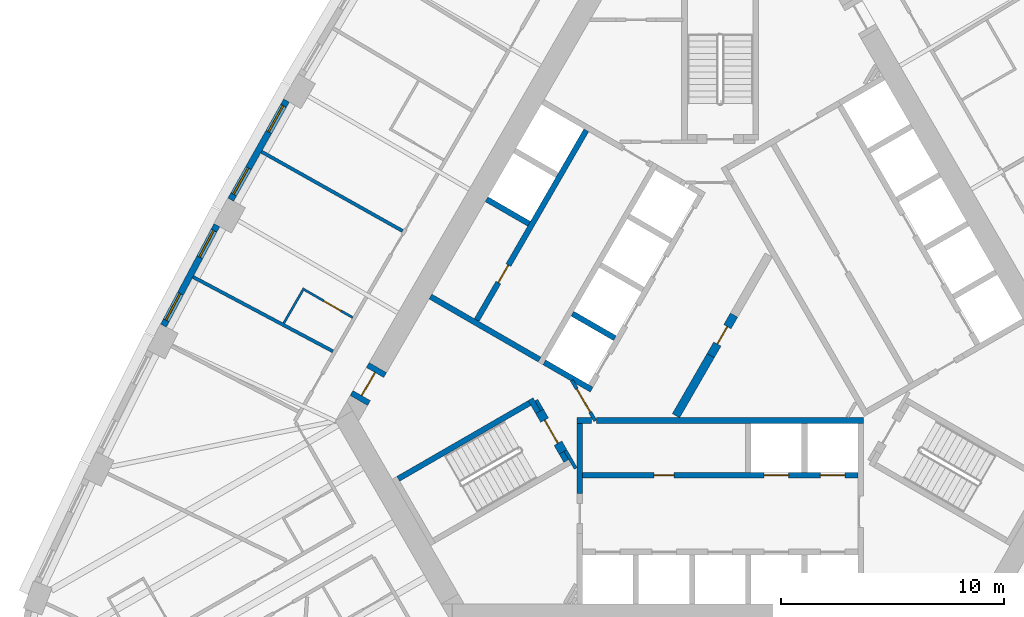
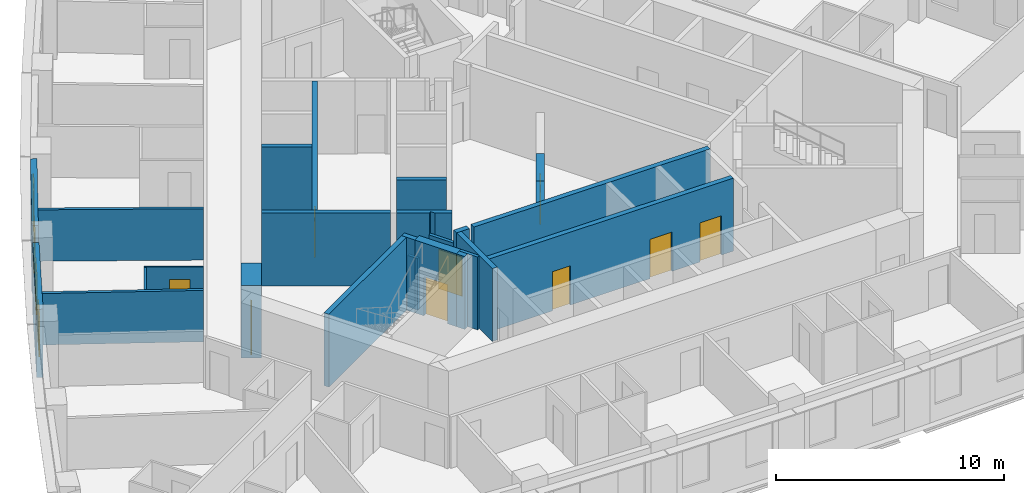
# One storey, part 5 of 12: 25 walls, 9 doors, 4 windows, 13 openings.
"""IFC4 building model written with IfcOpenShell, lengths in metres."""

from ifc_helpers import new_model, si_unit, direction, frame, frame_2d, origin, place, context, subcontext, project, spatial, polyline, rectangle, outline, extrude, material, layer, layer_set, type_object, element, fill, save


model = new_model("IFC4")

# Units and contexts
model_context = context("Model", 3, precision=1e-05, world=origin(), true_north=direction((0.0, 1.0)))
body_context = subcontext(model_context, "Body", "Model", "MODEL_VIEW")
ifc_project = project(units=[si_unit("LENGTHUNIT", "METRE"), si_unit("AREAUNIT", "SQUARE_METRE"), si_unit("VOLUMEUNIT", "CUBIC_METRE"), si_unit("PLANEANGLEUNIT", "RADIAN"), si_unit("MASSUNIT", "GRAM", prefix="KILO")], contexts=[model_context])

# Site, building, storey
site_placement = place(None, origin())
site = spatial("IfcSite", under=ifc_project, at=site_placement, CompositionType="ELEMENT")
building_placement = place(site_placement, origin())
building = spatial("IfcBuilding", under=site, at=building_placement, Name="Mestral Congress Tower", CompositionType="ELEMENT")
storey_placement = place(building_placement, frame((0.0, 0.0, 103.199951171875)))
storey = spatial("IfcBuildingStorey", under=building, at=storey_placement, Name="L24", CompositionType="ELEMENT", Elevation=103.199951171875)

# Walls
ifc_material_1 = material(Name="Fire-rated board partition")
ifc_layer_1 = layer(ifc_material_1, 0.14990234375)
ifc_layer_set_1 = layer_set([ifc_layer_1], Name="Fire-rated board partition")
wall_type_1 = type_object("IfcWallType", Name="Core partition 150", PredefinedType="PARTITIONING", material=ifc_layer_set_1)
wall_1_placement = place(storey_placement, frame((-8.251953125, -2.958251953125, 0.0), z_axis=(0.0, 0.0, 1.0), x_axis=(0.500174715838, -0.865924508047, 0.0)))
element("IfcWall", 1, at=wall_1_placement, inside=storey, type_object=wall_type_1, Name="L24 core wall", PredefinedType="PARTITIONING", context=body_context, shape_type="SweptSolid", body=[
    extrude(rectangle(XDim=0.513916015625, YDim=0.14990234375, at=frame_2d((0.2568359375, 0.0))), origin(), (0.0, 0.0, 1.0), 2.75),
])
placement = place(storey_placement, origin())
element("IfcWall", 2, at=placement, inside=storey, type_object=wall_type_1, Name="L24 core wall", PredefinedType="PARTITIONING", context=body_context, shape_type="SweptSolid", body=[
    extrude(outline(polyline([(-0.590087890625, -0.871826171875), (-0.26513671875, -1.059326171875), (-1.822021484375, -3.755615234375), (-2.146728515625, -3.568115234375), (-0.590087890625, -0.871826171875)])), origin(), (0.0, 0.0, 1.0), 2.75),
])

# Wall, opening, door
wall_3_placement = place(storey_placement, frame((-5.606201171875, -3.8896484375, 0.0), z_axis=(0.0, 0.0, 1.0), x_axis=(-0.500027713859, 0.866009402589, 0.0)))
wall_3 = element("IfcWall", 3, at=wall_3_placement, inside=storey, type_object=wall_type_1, Name="L24 door wall", PredefinedType="PARTITIONING", context=body_context, shape_type="SweptSolid", body=[
    extrude(rectangle(XDim=2.10009765625, YDim=0.14990234375, at=frame_2d((1.050048828125, 0.0))), origin(), (0.0, 0.0, 1.0), 2.75),
])
opening_1_placement = place(wall_3_placement, frame((0.449951171875, 0.0, 0.0)))
opening_1 = element("IfcOpeningElement", 4, at=opening_1_placement, cuts=wall_3, Name="Opening CD3-FF", PredefinedType="OPENING", context=body_context, shape_type="SweptSolid", body=[
    extrude(rectangle(XDim=1.199951171875, YDim=2.10009765625, at=frame_2d((0.60009765625, 1.050048828125))), frame((0.0, 0.0849609375, 0.0), z_axis=(0.0, -1.0, 0.0), x_axis=(1.0, 0.0, 0.0)), (0.0, 0.0, 1.0), 0.169921875),
])
ifc_material_2 = material(Name="Fire-rated steel door set", Category="steel")
door_type_1 = type_object("IfcDoorType", Name="Core door CD 1200x2100", OperationType="SINGLE_SWING_LEFT", PredefinedType="DOOR", material=ifc_material_2)
door_1_placement = place(opening_1_placement, origin())
door_1 = element("IfcDoor", 5, at=door_1_placement, inside=storey, type_object=door_type_1, Name="Door CD3-FF", OperationType="SINGLE_SWING_LEFT", OverallHeight=2.10009765625, OverallWidth=1.199951171875, PredefinedType="DOOR", context=body_context, shape_type="SweptSolid", body=[
    extrude(rectangle(XDim=1.199951171875, YDim=2.10009765625, at=frame_2d((0.60009765625, 1.050048828125))), frame((0.0, 0.02490234375, 0.0), z_axis=(0.0, -1.0, 0.0), x_axis=(1.0, 0.0, 0.0)), (0.0, 0.0, 1.0), 0.050048828125),
])
fill(opening_1, door_1)

ifc_layer_2 = layer(ifc_material_1, 0.375)
ifc_layer_set_2 = layer_set([ifc_layer_2], Name="Fire-rated board partition")
wall_type_2 = type_object("IfcWallType", Name="Core partition 150 door-wall 375", PredefinedType="PARTITIONING", material=ifc_layer_set_2)
wall_4_placement = place(storey_placement, frame((-0.427490234375, -0.965576171875, 0.0), z_axis=(0.0, 0.0, 1.0), x_axis=(0.49994051562, 0.866059744384, 0.0)))
wall_4 = element("IfcWall", 6, at=wall_4_placement, inside=storey, type_object=wall_type_2, Name="L24 door wall", PredefinedType="PARTITIONING", context=body_context, shape_type="SweptSolid", body=[
    extrude(rectangle(XDim=2.099853515625, YDim=0.375, at=frame_2d((1.0498046875, 0.0))), origin(), (0.0, 0.0, 1.0), 2.75),
])
opening_2_placement = place(wall_4_placement, frame((0.60009765625, 0.0, 0.0)))
opening_2 = element("IfcOpeningElement", 7, at=opening_2_placement, cuts=wall_4, Name="Opening CD1-HUB0", PredefinedType="OPENING", context=body_context, shape_type="SweptSolid", body=[
    extrude(rectangle(XDim=0.89990234375, YDim=2.10009765625, at=frame_2d((0.449951171875, 1.050048828125))), frame((0.0, 0.197509765625, 0.0), z_axis=(0.0, -1.0, 0.0), x_axis=(1.0, 0.0, 0.0)), (0.0, 0.0, 1.0), 0.39501953125),
])
door_type_2 = type_object("IfcDoorType", Name="Core door CD 900x2100", OperationType="SINGLE_SWING_LEFT", PredefinedType="DOOR", material=ifc_material_2)
door_2_placement = place(opening_2_placement, origin())
door_2 = element("IfcDoor", 8, at=door_2_placement, inside=storey, type_object=door_type_2, Name="Door CD1-HUB0", OperationType="SINGLE_SWING_LEFT", OverallHeight=2.10009765625, OverallWidth=0.89990234375, PredefinedType="DOOR", context=body_context, shape_type="SweptSolid", body=[
    extrude(rectangle(XDim=0.89990234375, YDim=2.10009765625, at=frame_2d((0.449951171875, 1.050048828125))), frame((0.0, 0.02490234375, 0.0), z_axis=(0.0, -1.0, 0.0), x_axis=(1.0, 0.0, 0.0)), (0.0, 0.0, 1.0), 0.050048828125),
])
fill(opening_2, door_2)

ifc_material_3 = material(Name="Concrete C60/75", Category="concrete")
ifc_layer_3 = layer(ifc_material_3, 0.89990234375)
ifc_layer_set_3 = layer_set([ifc_layer_3], Name="Concrete C60/75")
wall_type_3 = type_object("IfcWallType", Name="Core wall RC 900", PredefinedType="SOLIDWALL", material=ifc_layer_set_3)
wall_5_placement = place(storey_placement, frame((-16.20947265625, -2.9755859375, 0.0), z_axis=(0.0, 0.0, 1.0), x_axis=(0.499954529098, 0.86605165483, 0.0)))
wall_5 = element("IfcWall", 9, at=wall_5_placement, inside=storey, type_object=wall_type_3, Name="L24 door wall", PredefinedType="SOLIDWALL", context=body_context, shape_type="SweptSolid", body=[
    extrude(rectangle(XDim=1.699951171875, YDim=0.89990234375, at=frame_2d((0.85009765625, 0.0))), origin(), (0.0, 0.0, 1.0), 3.900146484375),
])
opening_3_placement = place(wall_5_placement, frame((0.25, 0.0, 0.0)))
opening_3 = element("IfcOpeningElement", 10, at=opening_3_placement, cuts=wall_5, Name="Opening XD3", PredefinedType="OPENING", context=body_context, shape_type="SweptSolid", body=[
    extrude(rectangle(XDim=1.199951171875, YDim=2.10009765625, at=frame_2d((0.60009765625, 1.050048828125))), frame((0.0, 0.4599609375, 0.0), z_axis=(0.0, -1.0, 0.0), x_axis=(1.0, 0.0, 0.0)), (0.0, 0.0, 1.0), 0.919921875),
])
door_type_3 = type_object("IfcDoorType", Name="Core door XD 1200x2100", OperationType="SINGLE_SWING_LEFT", PredefinedType="DOOR", material=ifc_material_2)
door_3_placement = place(opening_3_placement, origin())
door_3 = element("IfcDoor", 11, at=door_3_placement, inside=storey, type_object=door_type_3, Name="Door XD3", OperationType="SINGLE_SWING_LEFT", OverallHeight=2.10009765625, OverallWidth=1.199951171875, PredefinedType="DOOR", context=body_context, shape_type="SweptSolid", body=[
    extrude(rectangle(XDim=1.199951171875, YDim=2.10009765625, at=frame_2d((0.60009765625, 1.050048828125))), frame((0.0, 0.02490234375, 0.0), z_axis=(0.0, -1.0, 0.0), x_axis=(1.0, 0.0, 0.0)), (0.0, 0.0, 1.0), 0.050048828125),
])
fill(opening_3, door_3)

# Wall, openings, windows
ifc_material_4 = material(Name="Precast concrete C40/50 with limestone facing", Category="masonry")
ifc_layer_4 = layer(ifc_material_4, 0.2900390625)
ifc_layer_set_4 = layer_set([ifc_layer_4], Name="Precast concrete C40/50 with limestone facing")
wall_type_4 = type_object("IfcWallType", Name="Facade stone wall 290", PredefinedType="SOLIDWALL", material=ifc_layer_set_4)
wall_6_placement = place(storey_placement, frame((-19.4580078125, 10.479736328125, 0.0), z_axis=(0.0, 0.0, 1.0), x_axis=(-0.48983164787, -0.87181704316, 0.0)))
wall_6 = element("IfcWall", 12, at=wall_6_placement, inside=storey, type_object=wall_type_4, Name="Facade wall F2-04", PredefinedType="SOLIDWALL", context=body_context, shape_type="SweptSolid", body=[
    extrude(rectangle(XDim=5.100341796875, YDim=0.2900390625, at=frame_2d((2.55029296875, 0.0))), origin(), (0.0, 0.0, 1.0), 3.650146484375),
])
opening_4_placement = place(wall_6_placement, frame((0.2724609375, 0.0, 0.89990234375)))
opening_4 = element("IfcOpeningElement", 13, at=opening_4_placement, cuts=wall_6, Name="Opening W2", PredefinedType="OPENING", context=body_context, shape_type="SweptSolid", body=[
    extrude(rectangle(XDim=1.35009765625, YDim=2.14990234375, at=frame_2d((0.675048828125, 1.074951171875))), frame((0.0, 0.155029296875, 0.0), z_axis=(0.0, -1.0, 0.0), x_axis=(1.0, 0.0, 0.0)), (0.0, 0.0, 1.0), 0.31005859375),
])
opening_5_placement = place(wall_6_placement, frame((3.477783203125, 0.0, 0.89990234375)))
opening_5 = element("IfcOpeningElement", 14, at=opening_5_placement, cuts=wall_6, Name="Opening W2", PredefinedType="OPENING", context=body_context, shape_type="SweptSolid", body=[
    extrude(rectangle(XDim=1.35009765625, YDim=2.14990234375, at=frame_2d((0.675048828125, 1.074951171875))), frame((0.0, 0.155029296875, 0.0), z_axis=(0.0, -1.0, 0.0), x_axis=(1.0, 0.0, 0.0)), (0.0, 0.0, 1.0), 0.31005859375),
])
ifc_material_5 = material(Name="Clear low-emissivity double glazing", Category="glass")
window_type = type_object("IfcWindowType", Name="Facade punched window 1350 x 2150 sill 900", PartitioningType="DOUBLE_PANEL_VERTICAL", PredefinedType="WINDOW", material=ifc_material_5)
window_1_placement = place(opening_4_placement, origin())
window_1 = element("IfcWindow", 15, at=window_1_placement, inside=storey, type_object=window_type, Name="Window F2-04a", OverallHeight=2.14990234375, OverallWidth=1.35009765625, PartitioningType="DOUBLE_PANEL_VERTICAL", PredefinedType="WINDOW", context=body_context, shape_type="SweptSolid", body=[
    extrude(rectangle(XDim=1.35009765625, YDim=2.14990234375, at=frame_2d((0.675048828125, 1.074951171875))), frame((0.0, 0.01513671875, 0.0), z_axis=(0.0, -1.0, 0.0), x_axis=(1.0, 0.0, 0.0)), (0.0, 0.0, 1.0), 0.06005859375),
])
fill(opening_4, window_1)
window_2_placement = place(opening_5_placement, origin())
window_2 = element("IfcWindow", 16, at=window_2_placement, inside=storey, type_object=window_type, Name="Window F2-04b", OverallHeight=2.14990234375, OverallWidth=1.35009765625, PartitioningType="DOUBLE_PANEL_VERTICAL", PredefinedType="WINDOW", context=body_context, shape_type="SweptSolid", body=[
    extrude(rectangle(XDim=1.35009765625, YDim=2.14990234375, at=frame_2d((0.675048828125, 1.074951171875))), frame((0.0, 0.01513671875, 0.0), z_axis=(0.0, -1.0, 0.0), x_axis=(1.0, 0.0, 0.0)), (0.0, 0.0, 1.0), 0.06005859375),
])
fill(opening_5, window_2)

wall_7_placement = place(storey_placement, frame((-22.5830078125, 4.88671875, 0.0), z_axis=(0.0, 0.0, 1.0), x_axis=(-0.469323203119, -0.883026461106, 0.0)))
wall_7 = element("IfcWall", 17, at=wall_7_placement, inside=storey, type_object=wall_type_4, Name="Facade wall F2-05", PredefinedType="SOLIDWALL", context=body_context, shape_type="SweptSolid", body=[
    extrude(rectangle(XDim=5.1005859375, YDim=0.2900390625, at=frame_2d((2.55029296875, 0.0))), origin(), (0.0, 0.0, 1.0), 3.650146484375),
])
opening_6_placement = place(wall_7_placement, frame((0.272705078125, 0.0, 0.89990234375)))
opening_6 = element("IfcOpeningElement", 18, at=opening_6_placement, cuts=wall_7, Name="Opening W2", PredefinedType="OPENING", context=body_context, shape_type="SweptSolid", body=[
    extrude(rectangle(XDim=1.35009765625, YDim=2.14990234375, at=frame_2d((0.675048828125, 1.074951171875))), frame((0.0, 0.155029296875, 0.0), z_axis=(0.0, -1.0, 0.0), x_axis=(1.0, 0.0, 0.0)), (0.0, 0.0, 1.0), 0.31005859375),
])
opening_7_placement = place(wall_7_placement, frame((3.477783203125, 0.0, 0.89990234375)))
opening_7 = element("IfcOpeningElement", 19, at=opening_7_placement, cuts=wall_7, Name="Opening W2", PredefinedType="OPENING", context=body_context, shape_type="SweptSolid", body=[
    extrude(rectangle(XDim=1.35009765625, YDim=2.14990234375, at=frame_2d((0.675048828125, 1.074951171875))), frame((0.0, 0.155029296875, 0.0), z_axis=(0.0, -1.0, 0.0), x_axis=(1.0, 0.0, 0.0)), (0.0, 0.0, 1.0), 0.31005859375),
])
window_3_placement = place(opening_6_placement, origin())
window_3 = element("IfcWindow", 20, at=window_3_placement, inside=storey, type_object=window_type, Name="Window F2-05a", OverallHeight=2.14990234375, OverallWidth=1.35009765625, PartitioningType="DOUBLE_PANEL_VERTICAL", PredefinedType="WINDOW", context=body_context, shape_type="SweptSolid", body=[
    extrude(rectangle(XDim=1.35009765625, YDim=2.14990234375, at=frame_2d((0.675048828125, 1.074951171875))), frame((0.0, 0.01513671875, 0.0), z_axis=(0.0, -1.0, 0.0), x_axis=(1.0, 0.0, 0.0)), (0.0, 0.0, 1.0), 0.06005859375),
])
fill(opening_6, window_3)
window_4_placement = place(opening_7_placement, origin())
window_4 = element("IfcWindow", 21, at=window_4_placement, inside=storey, type_object=window_type, Name="Window F2-05b", OverallHeight=2.14990234375, OverallWidth=1.35009765625, PartitioningType="DOUBLE_PANEL_VERTICAL", PredefinedType="WINDOW", context=body_context, shape_type="SweptSolid", body=[
    extrude(rectangle(XDim=1.35009765625, YDim=2.14990234375, at=frame_2d((0.675048828125, 1.074951171875))), frame((0.0, 0.01513671875, 0.0), z_axis=(0.0, -1.0, 0.0), x_axis=(1.0, 0.0, 0.0)), (0.0, 0.0, 1.0), 0.06005859375),
])
fill(opening_7, window_4)

# Wall, opening, door
ifc_material_6 = material(Name="Gypsum board partition on metal studs with mineral wool", Category="composite")
ifc_layer_5 = layer(ifc_material_6, 0.10009765625)
ifc_layer_set_5 = layer_set([ifc_layer_5], Name="Gypsum board partition on metal studs with mineral wool")
wall_type_5 = type_object("IfcWallType", Name="Hotel partition wall 100", PredefinedType="PARTITIONING", material=ifc_layer_set_5)
wall_8_placement = place(storey_placement, frame((-16.4873046875, 0.742919921875, 0.0), z_axis=(0.0, 0.0, 1.0), x_axis=(-0.866021400173, 0.500006934395, 0.0)))
wall_8 = element("IfcWall", 22, at=wall_8_placement, inside=storey, type_object=wall_type_5, Name="L24-h-pod23a", PredefinedType="PARTITIONING", context=body_context, shape_type="SweptSolid", body=[
    extrude(rectangle(XDim=2.60009765625, YDim=0.10009765625, at=frame_2d((1.300048828125, 0.0))), origin(), (0.0, 0.0, 1.0), 2.75),
])
opening_8_placement = place(wall_8_placement, frame((0.60009765625, 0.0, 0.0)))
opening_8 = element("IfcOpeningElement", 23, at=opening_8_placement, cuts=wall_8, Name="Opening H07-044", PredefinedType="OPENING", context=body_context, shape_type="SweptSolid", body=[
    extrude(rectangle(XDim=0.89990234375, YDim=2.10009765625, at=frame_2d((0.449951171875, 1.050048828125))), frame((0.0, 0.06005859375, 0.0), z_axis=(0.0, -1.0, 0.0), x_axis=(1.0, 0.0, 0.0)), (0.0, 0.0, 1.0), 0.1201171875),
])
ifc_material_7 = material(Name="Timber veneer door leaf in timber frame", Category="wood")
door_type_4 = type_object("IfcDoorType", Name="Bathroom door 900", OperationType="SINGLE_SWING_LEFT", PredefinedType="DOOR", material=ifc_material_7)
door_4_placement = place(opening_8_placement, origin())
door_4 = element("IfcDoor", 24, at=door_4_placement, inside=storey, type_object=door_type_4, Name="L24-h-d044", OperationType="SINGLE_SWING_LEFT", OverallHeight=2.10009765625, OverallWidth=0.89990234375, PredefinedType="DOOR", context=body_context, shape_type="SweptSolid", body=[
    extrude(rectangle(XDim=0.89990234375, YDim=2.10009765625, at=frame_2d((0.449951171875, 1.050048828125))), frame((0.0, 0.02490234375, 0.0), z_axis=(0.0, -1.0, 0.0), x_axis=(1.0, 0.0, 0.0)), (0.0, 0.0, 1.0), 0.050048828125),
])
fill(opening_8, door_4)

# Walls
wall_9_placement = place(storey_placement, frame((-18.725830078125, 1.966064453125, 0.0), z_axis=(0.0, 0.0, 1.0), x_axis=(-0.499954529098, -0.86605165483, 0.0)))
element("IfcWall", 25, at=wall_9_placement, inside=storey, type_object=wall_type_5, Name="L24-h-pod23b", PredefinedType="PARTITIONING", context=body_context, shape_type="SweptSolid", body=[
    extrude(rectangle(XDim=1.699951171875, YDim=0.10009765625, at=frame_2d((0.85009765625, 0.0))), origin(), (0.0, 0.0, 1.0), 2.75),
])
ifc_layer_6 = layer(ifc_material_6, 0.14990234375)
ifc_layer_set_6 = layer_set([ifc_layer_6], Name="Gypsum board partition on metal studs with mineral wool")
wall_type_6 = type_object("IfcWallType", Name="Hotel partition wall 150", PredefinedType="PARTITIONING", material=ifc_layer_set_6)
wall_10_placement = place(storey_placement, frame((-23.65185546875, 2.56689453125, 0.0), z_axis=(0.0, 0.0, 1.0), x_axis=(0.883019237957, -0.469336793144, 0.0)))
element("IfcWall", 26, at=wall_10_placement, inside=storey, type_object=wall_type_6, Name="L24-h-pw06", PredefinedType="PARTITIONING", context=body_context, shape_type="SweptSolid", body=[
    extrude(rectangle(XDim=7.11083984375, YDim=0.14990234375, at=frame_2d((3.555419921875, 0.0))), origin(), (0.0, 0.0, 1.0), 2.75),
])
wall_11_placement = place(storey_placement, frame((-20.580810546875, 8.185302734375, 0.0), z_axis=(0.0, 0.0, 1.0), x_axis=(0.871820720803, -0.489825102233, 0.0)))
element("IfcWall", 27, at=wall_11_placement, inside=storey, type_object=wall_type_6, Name="L24-h-pw07", PredefinedType="PARTITIONING", context=body_context, shape_type="SweptSolid", body=[
    extrude(rectangle(XDim=7.256591796875, YDim=0.14990234375, at=frame_2d((3.62841796875, 0.0))), origin(), (0.0, 0.0, 1.0), 2.75),
])
ifc_layer_7 = layer(ifc_material_3, 0.25)
ifc_layer_set_7 = layer_set([ifc_layer_7], Name="Concrete C60/75")
wall_type_7 = type_object("IfcWallType", Name="Shaft wall RC 250", PredefinedType="SOLIDWALL", material=ifc_layer_set_7)
wall_12_placement = place(storey_placement, frame((-5.544921875, -3.875, 0.0), z_axis=(0.0, 0.0, 1.0), x_axis=(1.0, 0.0, 0.0)))
element("IfcWall", 28, at=wall_12_placement, inside=storey, type_object=wall_type_7, Name="L24 core wall", PredefinedType="SOLIDWALL", context=body_context, shape_type="SweptSolid", body=[
    extrude(rectangle(XDim=11.969970703125, YDim=0.25, at=frame_2d((5.98486328125, 0.0))), origin(), (0.0, 0.0, 1.0), 3.900146484375),
])
wall_13_placement = place(storey_placement, frame((-6.425048828125, -3.875, 0.0), z_axis=(0.0, 0.0, 1.0), x_axis=(1.0, 0.0, 0.0)))
element("IfcWall", 29, at=wall_13_placement, inside=storey, type_object=wall_type_7, Name="L24 core wall", PredefinedType="SOLIDWALL", context=body_context, shape_type="SweptSolid", body=[
    extrude(rectangle(XDim=0.657958984375, YDim=0.25, at=frame_2d((0.3291015625, 0.0))), origin(), (0.0, 0.0, 1.0), 3.900146484375),
])
wall_14_placement = place(storey_placement, frame((-6.300048828125, -4.0, 0.0), z_axis=(0.0, 0.0, 1.0), x_axis=(0.0, -1.0, 0.0)))
element("IfcWall", 30, at=wall_14_placement, inside=storey, type_object=wall_type_7, Name="L24 core wall", PredefinedType="SOLIDWALL", context=body_context, shape_type="SweptSolid", body=[
    extrude(rectangle(XDim=3.154296875, YDim=0.25, at=frame_2d((1.5771484375, 0.0))), origin(), (0.0, 0.0, 1.0), 3.900146484375),
])
wall_15_placement = place(storey_placement, frame((-4.72412109375, -0.182373046875, 0.0), z_axis=(0.0, 0.0, 1.0), x_axis=(-0.866008176907, 0.50002983664, 0.0)))
element("IfcWall", 31, at=wall_15_placement, inside=storey, type_object=wall_type_7, Name="L24 core wall", PredefinedType="SOLIDWALL", context=body_context, shape_type="SweptSolid", body=[
    extrude(rectangle(XDim=2.199951171875, YDim=0.25, at=frame_2d((1.10009765625, 0.0))), origin(), (0.0, 0.0, 1.0), 3.900146484375),
])
element("IfcWall", 32, at=placement, inside=storey, type_object=wall_type_7, Name="L24 core wall", PredefinedType="SOLIDWALL", context=body_context, shape_type="SweptSolid", body=[
    extrude(outline(polyline([(-5.921630859375, -2.256591796875), (-5.921630859375, -2.256591796875), (-5.705078125, -2.381591796875), (-5.830078125, -2.597900390625), (-6.48291015625, -2.22119140625), (-6.59130859375, -2.033447265625), (-6.59130859375, -2.033447265625), (-6.69970703125, -2.095947265625), (-7.951904296875, -1.373046875), (-7.826904296875, -1.156494140625), (-5.921630859375, -2.256591796875)])), origin(), (0.0, 0.0, 1.0), 3.900146484375),
])
wall_17_placement = place(storey_placement, frame((-8.10595703125, -1.139892578125, 0.0), z_axis=(0.0, 0.0, 1.0), x_axis=(-0.866000643155, 0.500042884217, 0.0)))
element("IfcWall", 33, at=wall_17_placement, inside=storey, type_object=wall_type_7, Name="L24 core wall", PredefinedType="SOLIDWALL", context=body_context, shape_type="SweptSolid", body=[
    extrude(rectangle(XDim=5.64990234375, YDim=0.25, at=frame_2d((2.824951171875, 0.0))), origin(), (0.0, 0.0, 1.0), 3.900146484375),
])
wall_18_placement = place(storey_placement, frame((-8.57373046875, 4.949951171875, 0.0), z_axis=(0.0, 0.0, 1.0), x_axis=(-0.866008176907, 0.50002983664, 0.0)))
element("IfcWall", 34, at=wall_18_placement, inside=storey, type_object=wall_type_7, Name="L24 core wall", PredefinedType="SOLIDWALL", context=body_context, shape_type="SweptSolid", body=[
    extrude(rectangle(XDim=2.199951171875, YDim=0.25, at=frame_2d((1.10009765625, 0.0))), origin(), (0.0, 0.0, 1.0), 3.900146484375),
])

# Wall, openings, doors
wall_19_placement = place(storey_placement, frame((-6.175048828125, -6.324951171875, 0.0), z_axis=(0.0, 0.0, 1.0), x_axis=(1.0, 0.0, 0.0)))
wall_19 = element("IfcWall", 35, at=wall_19_placement, inside=storey, type_object=wall_type_7, Name="L24 door wall", PredefinedType="SOLIDWALL", context=body_context, shape_type="SweptSolid", body=[
    extrude(rectangle(XDim=12.35009765625, YDim=0.25, at=frame_2d((6.175048828125, 0.0))), origin(), (0.0, 0.0, 1.0), 3.900146484375),
])
opening_9_placement = place(wall_19_placement, frame((3.205078125, 0.0, 0.0)))
opening_9 = element("IfcOpeningElement", 36, at=opening_9_placement, cuts=wall_19, Name="Opening SR-SOB1", PredefinedType="OPENING", context=body_context, shape_type="SweptSolid", body=[
    extrude(rectangle(XDim=0.89990234375, YDim=2.10009765625, at=frame_2d((0.449951171875, 1.050048828125))), frame((0.0, 0.135009765625, 0.0), z_axis=(0.0, -1.0, 0.0), x_axis=(1.0, 0.0, 0.0)), (0.0, 0.0, 1.0), 0.27001953125),
])
opening_10_placement = place(wall_19_placement, frame((8.14501953125, 0.0, 0.0)))
opening_10 = element("IfcOpeningElement", 37, at=opening_10_placement, cuts=wall_19, Name="Opening LD-SOB4", PredefinedType="OPENING", context=body_context, shape_type="SweptSolid", body=[
    extrude(rectangle(XDim=1.10009765625, YDim=2.10009765625, at=frame_2d((0.550048828125, 1.050048828125))), frame((0.0, 0.135009765625, 0.0), z_axis=(0.0, -1.0, 0.0), x_axis=(1.0, 0.0, 0.0)), (0.0, 0.0, 1.0), 0.27001953125),
])
opening_11_placement = place(wall_19_placement, frame((10.6650390625, 0.0, 0.0)))
opening_11 = element("IfcOpeningElement", 38, at=opening_11_placement, cuts=wall_19, Name="Opening LD-SOB5", PredefinedType="OPENING", context=body_context, shape_type="SweptSolid", body=[
    extrude(rectangle(XDim=1.10009765625, YDim=2.10009765625, at=frame_2d((0.550048828125, 1.050048828125))), frame((0.0, 0.135009765625, 0.0), z_axis=(0.0, -1.0, 0.0), x_axis=(1.0, 0.0, 0.0)), (0.0, 0.0, 1.0), 0.27001953125),
])
door_type_5 = type_object("IfcDoorType", Name="Core door LD 1100x2100", OperationType="DOUBLE_DOOR_SLIDING", PredefinedType="DOOR", material=ifc_material_2)
door_5_placement = place(opening_10_placement, origin())
door_5 = element("IfcDoor", 39, at=door_5_placement, inside=storey, type_object=door_type_5, Name="Door LD-SOB4", OperationType="DOUBLE_DOOR_SLIDING", OverallHeight=2.10009765625, OverallWidth=1.10009765625, PredefinedType="DOOR", context=body_context, shape_type="SweptSolid", body=[
    extrude(rectangle(XDim=1.10009765625, YDim=2.10009765625, at=frame_2d((0.550048828125, 1.050048828125))), frame((0.0, 0.02490234375, 0.0), z_axis=(0.0, -1.0, 0.0), x_axis=(1.0, 0.0, 0.0)), (0.0, 0.0, 1.0), 0.050048828125),
])
fill(opening_10, door_5)
door_6_placement = place(opening_11_placement, origin())
door_6 = element("IfcDoor", 40, at=door_6_placement, inside=storey, type_object=door_type_5, Name="Door LD-SOB5", OperationType="DOUBLE_DOOR_SLIDING", OverallHeight=2.10009765625, OverallWidth=1.10009765625, PredefinedType="DOOR", context=body_context, shape_type="SweptSolid", body=[
    extrude(rectangle(XDim=1.10009765625, YDim=2.10009765625, at=frame_2d((0.550048828125, 1.050048828125))), frame((0.0, 0.02490234375, 0.0), z_axis=(0.0, -1.0, 0.0), x_axis=(1.0, 0.0, 0.0)), (0.0, 0.0, 1.0), 0.050048828125),
])
fill(opening_11, door_6)
door_type_6 = type_object("IfcDoorType", Name="Core door SR 900x2100", OperationType="SINGLE_SWING_LEFT", PredefinedType="DOOR", material=ifc_material_2)
door_7_placement = place(opening_9_placement, origin())
door_7 = element("IfcDoor", 41, at=door_7_placement, inside=storey, type_object=door_type_6, Name="Door SR-SOB1", OperationType="SINGLE_SWING_LEFT", OverallHeight=2.10009765625, OverallWidth=0.89990234375, PredefinedType="DOOR", context=body_context, shape_type="SweptSolid", body=[
    extrude(rectangle(XDim=0.89990234375, YDim=2.10009765625, at=frame_2d((0.449951171875, 1.050048828125))), frame((0.0, 0.02490234375, 0.0), z_axis=(0.0, -1.0, 0.0), x_axis=(1.0, 0.0, 0.0)), (0.0, 0.0, 1.0), 0.050048828125),
])
fill(opening_9, door_7)

# Wall, opening, door
wall_20_placement = place(storey_placement, frame((-6.0078125, 9.14404296875, 0.0), z_axis=(0.0, 0.0, 1.0), x_axis=(-0.500006956611, -0.866021387346, 0.0)))
wall_20 = element("IfcWall", 42, at=wall_20_placement, inside=storey, type_object=wall_type_7, Name="L24 door wall", PredefinedType="SOLIDWALL", context=body_context, shape_type="SweptSolid", body=[
    extrude(rectangle(XDim=9.829833984375, YDim=0.25, at=frame_2d((4.9150390625, 0.0))), origin(), (0.0, 0.0, 1.0), 3.900146484375),
])
opening_12_placement = place(wall_20_placement, frame((6.985107421875, 0.0, 0.0)))
opening_12 = element("IfcOpeningElement", 43, at=opening_12_placement, cuts=wall_20, Name="Opening SR-NWA2", PredefinedType="OPENING", context=body_context, shape_type="SweptSolid", body=[
    extrude(rectangle(XDim=0.89990234375, YDim=2.10009765625, at=frame_2d((0.449951171875, 1.050048828125))), frame((0.0, 0.135009765625, 0.0), z_axis=(0.0, -1.0, 0.0), x_axis=(1.0, 0.0, 0.0)), (0.0, 0.0, 1.0), 0.27001953125),
])
door_8_placement = place(opening_12_placement, origin())
door_8 = element("IfcDoor", 44, at=door_8_placement, inside=storey, type_object=door_type_6, Name="Door SR-NWA2", OperationType="SINGLE_SWING_LEFT", OverallHeight=2.10009765625, OverallWidth=0.89990234375, PredefinedType="DOOR", context=body_context, shape_type="SweptSolid", body=[
    extrude(rectangle(XDim=0.89990234375, YDim=2.10009765625, at=frame_2d((0.449951171875, 1.050048828125))), frame((0.0, 0.02490234375, 0.0), z_axis=(0.0, -1.0, 0.0), x_axis=(1.0, 0.0, 0.0)), (0.0, 0.0, 1.0), 0.050048828125),
])
fill(opening_12, door_8)

# Walls
ifc_layer_8 = layer(ifc_material_3, 0.14990234375)
ifc_layer_set_8 = layer_set([ifc_layer_8], Name="Concrete C60/75")
wall_type_8 = type_object("IfcWallType", Name="Shaft wall RC 250 door-wall 150", PredefinedType="SOLIDWALL", material=ifc_layer_set_8)
wall_21_placement = place(storey_placement, frame((-6.48046875, -6.026611328125, 0.0), z_axis=(0.0, 0.0, 1.0), x_axis=(-0.499927229454, 0.866067413802, 0.0)))
element("IfcWall", 45, at=wall_21_placement, inside=storey, type_object=wall_type_8, Name="L24 core wall", PredefinedType="PARTITIONING", context=body_context, shape_type="SweptSolid", body=[
    extrude(rectangle(XDim=0.928955078125, YDim=0.14990234375, at=frame_2d((0.46435546875, 0.0))), origin(), (0.0, 0.0, 1.0), 3.900146484375),
])
ifc_layer_9 = layer(ifc_material_3, 0.25)
ifc_layer_set_9 = layer_set([ifc_layer_9], Name="Concrete C60/75")
wall_type_9 = type_object("IfcWallType", Name="Stair wall RC 250", PredefinedType="SOLIDWALL", material=ifc_layer_set_9)
wall_22_placement = place(storey_placement, frame((-14.43994140625, -6.489501953125, 0.0), z_axis=(0.0, 0.0, 1.0), x_axis=(0.866022966069, 0.500004222222, 0.0)))
element("IfcWall", 46, at=wall_22_placement, inside=storey, type_object=wall_type_9, Name="L24 core wall", PredefinedType="SOLIDWALL", context=body_context, shape_type="SweptSolid", body=[
    extrude(rectangle(XDim=6.80029296875, YDim=0.25, at=frame_2d((3.400146484375, 0.0))), origin(), (0.0, 0.0, 1.0), 3.900146484375),
])
wall_23_placement = place(storey_placement, frame((-8.167724609375, -3.503173828125, 0.0), z_axis=(0.0, 0.0, 1.0), x_axis=(-0.499952099219, 0.866053057547, 0.0)))
element("IfcWall", 47, at=wall_23_placement, inside=storey, type_object=wall_type_9, Name="L24 core wall", PredefinedType="SOLIDWALL", context=body_context, shape_type="SweptSolid", body=[
    extrude(rectangle(XDim=0.6748046875, YDim=0.25, at=frame_2d((0.33740234375, 0.0))), origin(), (0.0, 0.0, 1.0), 3.900146484375),
])
wall_24_placement = place(storey_placement, frame((-6.905029296875, -5.68994140625, 0.0), z_axis=(0.0, 0.0, 1.0), x_axis=(-0.500402024738, 0.865793170242, 0.0)))
element("IfcWall", 48, at=wall_24_placement, inside=storey, type_object=wall_type_9, Name="L24 core wall", PredefinedType="SOLIDWALL", context=body_context, shape_type="SweptSolid", body=[
    extrude(rectangle(XDim=0.425048828125, YDim=0.25, at=frame_2d((0.21240234375, 0.0))), origin(), (0.0, 0.0, 1.0), 3.900146484375),
])

# Wall, opening, door
ifc_layer_10 = layer(ifc_material_3, 0.39990234375)
ifc_layer_set_10 = layer_set([ifc_layer_10], Name="Concrete C60/75")
wall_type_10 = type_object("IfcWallType", Name="Stair wall RC 250 door-wall 400", PredefinedType="SOLIDWALL", material=ifc_layer_set_10)
wall_25_placement = place(storey_placement, frame((-8.102783203125, -3.4658203125, 0.0), z_axis=(0.0, 0.0, 1.0), x_axis=(0.500078061341, -0.865980330357, 0.0)))
wall_25 = element("IfcWall", 49, at=wall_25_placement, inside=storey, type_object=wall_type_10, Name="L24 door wall", PredefinedType="SOLIDWALL", context=body_context, shape_type="SweptSolid", body=[
    extrude(rectangle(XDim=2.099853515625, YDim=0.39990234375, at=frame_2d((1.0498046875, 0.0))), origin(), (0.0, 0.0, 1.0), 3.900146484375),
])
opening_13_placement = place(wall_25_placement, frame((0.449951171875, 0.0, 0.0)))
opening_13 = element("IfcOpeningElement", 50, at=opening_13_placement, cuts=wall_25, Name="Opening ST-D3", PredefinedType="OPENING", context=body_context, shape_type="SweptSolid", body=[
    extrude(rectangle(XDim=1.199951171875, YDim=2.10009765625, at=frame_2d((0.60009765625, 1.050048828125))), frame((0.0, 0.2099609375, 0.0), z_axis=(0.0, -1.0, 0.0), x_axis=(1.0, 0.0, 0.0)), (0.0, 0.0, 1.0), 0.419921875),
])
door_type_7 = type_object("IfcDoorType", Name="Core door ST 1200x2100", OperationType="SINGLE_SWING_LEFT", PredefinedType="DOOR", material=ifc_material_2)
door_9_placement = place(opening_13_placement, origin())
door_9 = element("IfcDoor", 51, at=door_9_placement, inside=storey, type_object=door_type_7, Name="Door ST-D3", OperationType="SINGLE_SWING_LEFT", OverallHeight=2.10009765625, OverallWidth=1.199951171875, PredefinedType="DOOR", context=body_context, shape_type="SweptSolid", body=[
    extrude(rectangle(XDim=1.199951171875, YDim=2.10009765625, at=frame_2d((0.60009765625, 1.050048828125))), frame((0.0, 0.02490234375, 0.0), z_axis=(0.0, -1.0, 0.0), x_axis=(1.0, 0.0, 0.0)), (0.0, 0.0, 1.0), 0.050048828125),
])
fill(opening_13, door_9)

save(model, "model.ifc")
